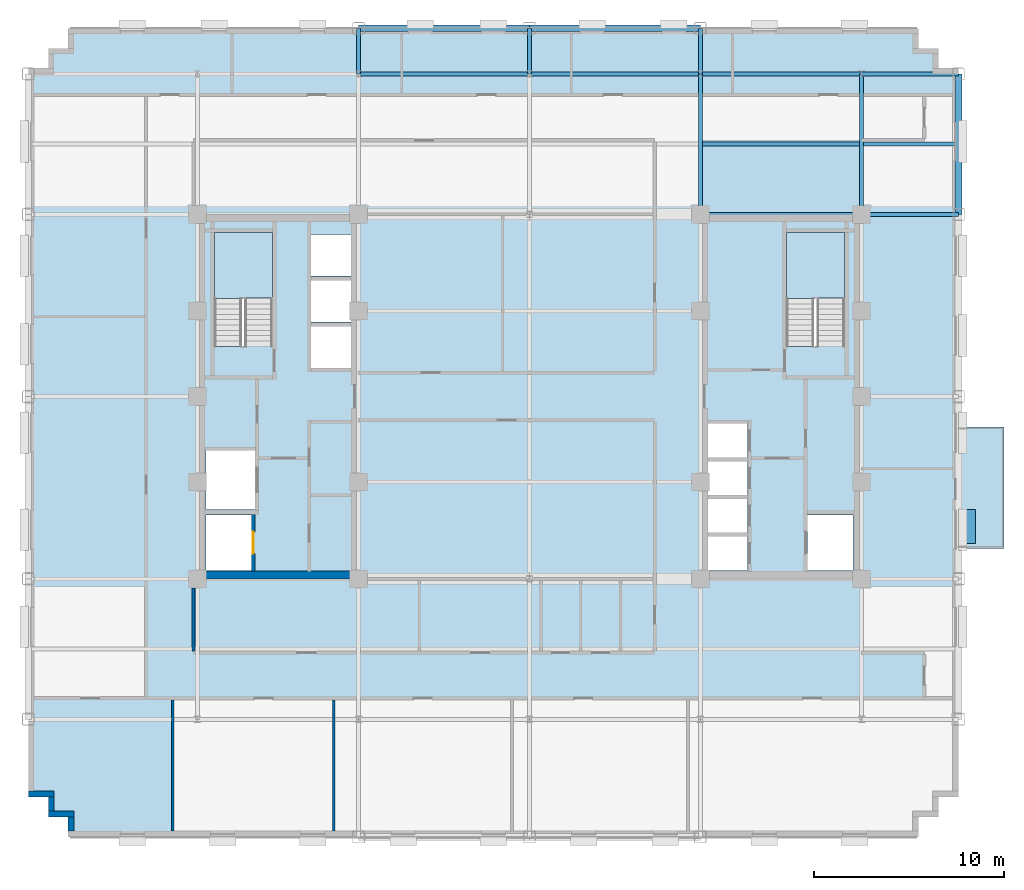
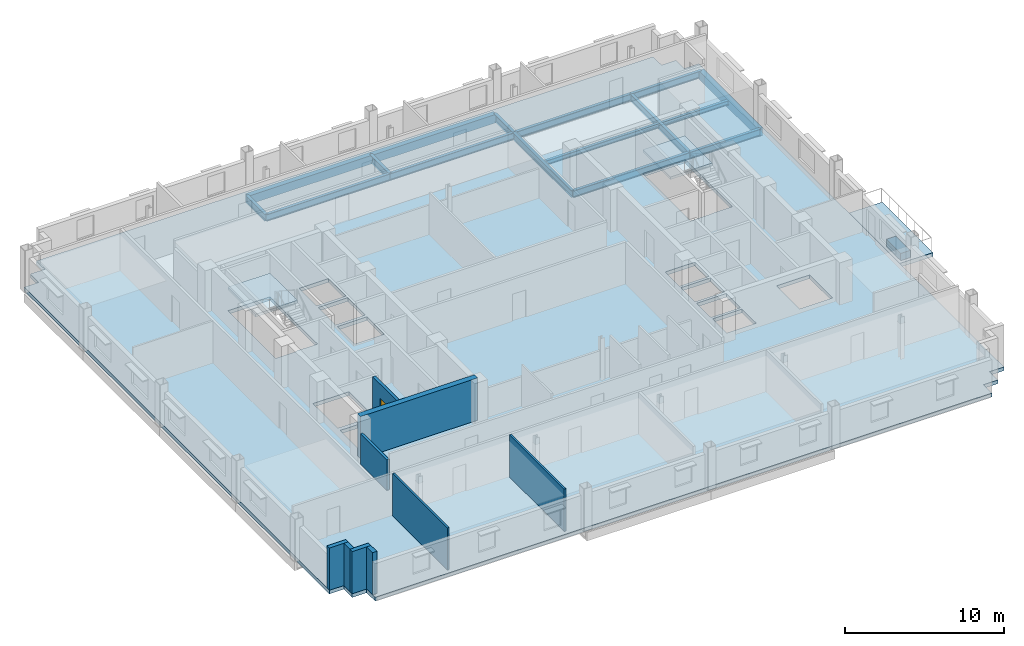
# One storey, part 6 of 14: 16 beams, 9 walls, 4 slabs, 1 door, 1 plate, 1 opening, 2 elements without a shape of their own.
"""IFC4 building model written with IfcOpenShell, lengths in metres."""

from ifc_helpers import new_model, si_unit, direction, frame, frame_2d, origin, origin_2d, place, context, subcontext, project, spatial, polyline, rectangle, i_section, outline, extrude, source, transform, mapped, material, layer, layer_set, material_profile, profile_set, type_object, type_shapes, element, fill, aggregate, save


model = new_model("IFC4")

# Units and contexts
model_context = context("Model", 3, precision=1e-05, world=origin(), true_north=direction((0.0, 1.0)))
body_context = subcontext(model_context, "Body", "Model", "MODEL_VIEW")
ifc_project = project(units=[si_unit("LENGTHUNIT", "METRE"), si_unit("AREAUNIT", "SQUARE_METRE"), si_unit("VOLUMEUNIT", "CUBIC_METRE"), si_unit("PLANEANGLEUNIT", "RADIAN"), si_unit("MASSUNIT", "GRAM", prefix="KILO")], contexts=[model_context])

# Site, building, storey
site_placement = place(None, origin())
site = spatial("IfcSite", under=ifc_project, at=site_placement, CompositionType="ELEMENT")
building_placement = place(site_placement, origin())
building = spatial("IfcBuilding", under=site, at=building_placement, Name="Nuvemarco Arch Tower", CompositionType="ELEMENT")
storey_placement = place(building_placement, frame((0.0, 0.0, 182.25)))
storey = spatial("IfcBuildingStorey", under=building, at=storey_placement, Name="L48", CompositionType="ELEMENT", Elevation=182.25)

# Beams
ifc_material_1 = material(Name="Steel S355", Category="steel")
ifc_material_profile_1 = material_profile(ifc_material_1, i_section(OverallWidth=0.2109375, OverallDepth=0.5390625, WebThickness=0.01171875, FlangeThickness=0.018798828125, FilletRadius=0.01611328125, at=origin_2d()), Name="W530x109")
ifc_profile_set_1 = profile_set([ifc_material_profile_1], Name="Steel S355")
beam_type_1 = type_object("IfcBeamType", Name="BM-GIRD-530", PredefinedType="BEAM", material=ifc_profile_set_1)
for number, where, z_axis, x_axis, name in (
    (1, (-9.0, 17.0, -0.549560546875), (0.0, 1.0, 0.0), (-1.0, 0.0, 0.0), "L48 structural beam BGNS_L48_0_-9.0_+17.0"),
    (2, (0.0, 17.0, -0.549560546875), (0.0, 1.0, 0.0), (-1.0, 0.0, 0.0), "L48 structural beam BGNS_L48_0_+0.0_+17.0"),
):
    element("IfcBeam", number, at=place(storey_placement, frame(where, z_axis=z_axis, x_axis=x_axis)), inside=storey, type_object=beam_type_1, Name=name, PredefinedType="BEAM", context=body_context, shape_type="SweptSolid", body=[
        extrude(i_section(OverallWidth=0.2109375, OverallDepth=0.5390625, WebThickness=0.01171875, FlangeThickness=0.018798828125, FilletRadius=0.01611328125, at=origin_2d()), origin(), (0.0, 0.0, 1.0), 2.39990234375),
    ])
beam_1_placement = place(storey_placement, frame((9.0, 9.60009765625, -0.549560546875), z_axis=(0.0, 1.0, 0.0), x_axis=(-1.0, 0.0, 0.0)))
element("IfcBeam", 3, at=beam_1_placement, inside=storey, type_object=beam_type_1, Name="L48 structural beam BGNS_L48_0_+9.0_+9.6", PredefinedType="BEAM", context=body_context, shape_type="SweptSolid", body=[
    extrude(i_section(OverallWidth=0.2109375, OverallDepth=0.5390625, WebThickness=0.01171875, FlangeThickness=0.018798828125, FilletRadius=0.01611328125, at=origin_2d()), origin(), (0.0, 0.0, 1.0), 7.39990234375),
])
beam_2_placement = place(storey_placement, frame((9.0, 17.0, -0.549560546875), z_axis=(0.0, 1.0, 0.0), x_axis=(-1.0, 0.0, 0.0)))
element("IfcBeam", 4, at=beam_2_placement, inside=storey, type_object=beam_type_1, Name="L48 structural beam BGNS_L48_0_+9.0_+17.0", PredefinedType="BEAM", context=body_context, shape_type="SweptSolid", body=[
    extrude(i_section(OverallWidth=0.2109375, OverallDepth=0.5390625, WebThickness=0.01171875, FlangeThickness=0.018798828125, FilletRadius=0.01611328125, at=origin_2d()), origin(), (0.0, 0.0, 1.0), 2.39990234375),
])
beam_3_placement = place(storey_placement, frame((17.5, 9.60009765625, -0.549560546875), z_axis=(0.0, 1.0, 0.0), x_axis=(-1.0, 0.0, 0.0)))
element("IfcBeam", 5, at=beam_3_placement, inside=storey, type_object=beam_type_1, Name="L48 structural beam BGNS_L48_0_+17.5_+9.6", PredefinedType="BEAM", context=body_context, shape_type="SweptSolid", body=[
    extrude(i_section(OverallWidth=0.2109375, OverallDepth=0.5390625, WebThickness=0.01171875, FlangeThickness=0.018798828125, FilletRadius=0.01611328125, at=origin_2d()), origin(), (0.0, 0.0, 1.0), 7.39990234375),
])
beam_4_placement = place(storey_placement, frame((9.0, 9.60009765625, -0.549560546875), z_axis=(1.0, 0.0, 0.0), x_axis=(0.0, 1.0, 0.0)))
element("IfcBeam", 6, at=beam_4_placement, inside=storey, type_object=beam_type_1, Name="L48 structural beam BGEW_L48_0_+9.6_+9.0", PredefinedType="BEAM", context=body_context, shape_type="SweptSolid", body=[
    extrude(i_section(OverallWidth=0.2109375, OverallDepth=0.5390625, WebThickness=0.01171875, FlangeThickness=0.018798828125, FilletRadius=0.01611328125, at=origin_2d()), origin(), (0.0, 0.0, 1.0), 8.5),
])
beam_5_placement = place(storey_placement, frame((17.5, 9.60009765625, -0.549560546875), z_axis=(1.0, 0.0, 0.0), x_axis=(0.0, 1.0, 0.0)))
element("IfcBeam", 7, at=beam_5_placement, inside=storey, type_object=beam_type_1, Name="L48 structural beam BGEW_L48_0_+9.6_+17.5", PredefinedType="BEAM", context=body_context, shape_type="SweptSolid", body=[
    extrude(i_section(OverallWidth=0.2109375, OverallDepth=0.5390625, WebThickness=0.01171875, FlangeThickness=0.018798828125, FilletRadius=0.01611328125, at=origin_2d()), origin(), (0.0, 0.0, 1.0), 5.10009765625),
])
for number, where, z_axis, x_axis, name in (
    (8, (-9.0, 17.0, -0.549560546875), (1.0, 0.0, 0.0), (0.0, 1.0, 0.0), "L48 structural beam BGEW_L48_0_+17.0_-9.0"),
    (9, (0.0, 17.0, -0.549560546875), (1.0, 0.0, 0.0), (0.0, 1.0, 0.0), "L48 structural beam BGEW_L48_0_+17.0_+0.0"),
):
    element("IfcBeam", number, at=place(storey_placement, frame(where, z_axis=z_axis, x_axis=x_axis)), inside=storey, type_object=beam_type_1, Name=name, PredefinedType="BEAM", context=body_context, shape_type="SweptSolid", body=[
        extrude(i_section(OverallWidth=0.2109375, OverallDepth=0.5390625, WebThickness=0.01171875, FlangeThickness=0.018798828125, FilletRadius=0.01611328125, at=origin_2d()), origin(), (0.0, 0.0, 1.0), 9.0),
    ])
beam_6_placement = place(storey_placement, frame((9.0, 17.0, -0.549560546875), z_axis=(1.0, 0.0, 0.0), x_axis=(0.0, 1.0, 0.0)))
element("IfcBeam", 10, at=beam_6_placement, inside=storey, type_object=beam_type_1, Name="L48 structural beam BGEW_L48_0_+17.0_+9.0", PredefinedType="BEAM", context=body_context, shape_type="SweptSolid", body=[
    extrude(i_section(OverallWidth=0.2109375, OverallDepth=0.5390625, WebThickness=0.01171875, FlangeThickness=0.018798828125, FilletRadius=0.01611328125, at=origin_2d()), origin(), (0.0, 0.0, 1.0), 8.5),
])
beam_7_placement = place(storey_placement, frame((17.5, 17.0, -0.549560546875), z_axis=(1.0, 0.0, 0.0), x_axis=(0.0, 1.0, 0.0)))
element("IfcBeam", 11, at=beam_7_placement, inside=storey, type_object=beam_type_1, Name="L48 structural beam BGEW_L48_0_+17.0_+17.5", PredefinedType="BEAM", context=body_context, shape_type="SweptSolid", body=[
    extrude(i_section(OverallWidth=0.2109375, OverallDepth=0.5390625, WebThickness=0.01171875, FlangeThickness=0.018798828125, FilletRadius=0.01611328125, at=origin_2d()), origin(), (0.0, 0.0, 1.0), 5.10009765625),
])
ifc_material_profile_2 = material_profile(ifc_material_1, i_section(OverallWidth=0.202880859375, OverallDepth=0.346923828125, WebThickness=0.0078125, FlangeThickness=0.013427734375, FilletRadius=0.014892578125, at=origin_2d()), Name="W360x64")
ifc_profile_set_2 = profile_set([ifc_material_profile_2], Name="Steel S355")
beam_type_2 = type_object("IfcBeamType", Name="BM-JOIST-360", PredefinedType="JOIST", material=ifc_profile_set_2)
beam_8_placement = place(storey_placement, frame((9.10546875, 13.300048828125, -0.45361328125), z_axis=(1.0, 0.0, 0.0), x_axis=(0.0, 1.0, 0.0)))
element("IfcBeam", 12, at=beam_8_placement, inside=storey, type_object=beam_type_2, Name="L48 structural beam BJ_L48_0_+13.3_+9.0", PredefinedType="JOIST", context=body_context, shape_type="SweptSolid", body=[
    extrude(i_section(OverallWidth=0.202880859375, OverallDepth=0.346923828125, WebThickness=0.0078125, FlangeThickness=0.013427734375, FilletRadius=0.014892578125, at=origin_2d()), origin(), (0.0, 0.0, 1.0), 8.2890625),
])
beam_9_placement = place(storey_placement, frame((17.60546875, 13.300048828125, -0.45361328125), z_axis=(1.0, 0.0, 0.0), x_axis=(0.0, 1.0, 0.0)))
element("IfcBeam", 13, at=beam_9_placement, inside=storey, type_object=beam_type_2, Name="L48 structural beam BJ_L48_0_+13.3_+17.5", PredefinedType="JOIST", context=body_context, shape_type="SweptSolid", body=[
    extrude(i_section(OverallWidth=0.202880859375, OverallDepth=0.346923828125, WebThickness=0.0078125, FlangeThickness=0.013427734375, FilletRadius=0.014892578125, at=origin_2d()), origin(), (0.0, 0.0, 1.0), 4.819580078125),
])
ifc_material_2 = material(Name="Precast concrete C45/55", Category="concrete")
ifc_material_profile_3 = material_profile(ifc_material_2, rectangle(XDim=0.35009765625, YDim=0.64990234375, at=origin_2d()), Name="PC-SP-350x650")
ifc_profile_set_3 = profile_set([ifc_material_profile_3], Name="Precast concrete C45/55")
beam_type_3 = type_object("IfcBeamType", Name="BM-SPAN-RC", PredefinedType="SPANDREL", material=ifc_profile_set_3)
beam_10_placement = place(storey_placement, frame((22.60009765625, 9.60009765625, -0.60498046875), z_axis=(0.0, 1.0, 0.0), x_axis=(-1.0, 0.0, 0.0)))
element("IfcBeam", 14, at=beam_10_placement, inside=storey, type_object=beam_type_3, Name="L48 structural beam BGNS_L48_0_+22.6_+9.6", PredefinedType="SPANDREL", context=body_context, shape_type="SweptSolid", body=[
    extrude(rectangle(XDim=0.35009765625, YDim=0.64990234375, at=origin_2d()), origin(), (0.0, 0.0, 1.0), 7.39990234375),
])
for number, where, z_axis, x_axis, name in (
    (15, (-9.0, 19.39990234375, -0.60498046875), (1.0, 0.0, 0.0), (0.0, 1.0, 0.0), "L48 structural beam BGEW_L48_0_+19.4_-9.0"),
    (16, (0.0, 19.39990234375, -0.60498046875), (1.0, 0.0, 0.0), (0.0, 1.0, 0.0), "L48 structural beam BGEW_L48_0_+19.4_+0.0"),
):
    element("IfcBeam", number, at=place(storey_placement, frame(where, z_axis=z_axis, x_axis=x_axis)), inside=storey, type_object=beam_type_3, Name=name, PredefinedType="SPANDREL", context=body_context, shape_type="SweptSolid", body=[
        extrude(rectangle(XDim=0.35009765625, YDim=0.64990234375, at=origin_2d()), origin(), (0.0, 0.0, 1.0), 9.0),
    ])

# Slab
ifc_material_3 = material(Name="Concrete C50/60", Category="concrete")
ifc_layer_1 = layer(ifc_material_3, 0.280029296875, Name="SL-FLR-280")
ifc_layer_set_1 = layer_set([ifc_layer_1], Name="Concrete C50/60")
slab_type_1 = type_object("IfcSlabType", Name="SL-FLR-280", PredefinedType="FLOOR", material=ifc_layer_set_1)
slab_1_placement = place(storey_placement, frame((0.0, 0.0, -0.280029296875)))
element("IfcSlab", 17, at=slab_1_placement, inside=storey, type_object=slab_type_1, Name="L48 structural floor slab", PredefinedType="FLOOR", context=body_context, shape_type="SweptSolid", body=[
    extrude(outline(polyline([(-24.300048828125, -23.199951171875), (20.5, -23.199951171875), (20.5, -22.14990234375), (21.550048828125, -22.14990234375), (21.550048828125, -21.10009765625), (22.60009765625, -21.10009765625), (22.60009765625, 17.300048828125), (21.550048828125, 17.300048828125), (21.550048828125, 18.35009765625), (20.5, 18.35009765625), (20.5, 19.39990234375), (-24.300048828125, 19.39990234375), (-24.300048828125, 18.35009765625), (-25.35009765625, 18.35009765625), (-25.35009765625, 17.300048828125), (-26.39990234375, 17.300048828125), (-26.39990234375, -21.10009765625), (-25.35009765625, -21.10009765625), (-25.35009765625, -22.14990234375), (-24.300048828125, -22.14990234375), (-24.300048828125, -23.199951171875)]), holes=[polyline([(-13.5400390625, 2.669921875), (-13.5400390625, 8.64990234375), (-16.60009765625, 8.64990234375), (-16.60009765625, 2.630615234375), (-15.070068359375, 2.630615234375), (-15.070068359375, 2.669921875), (-13.5400390625, 2.669921875)]), polyline([(16.60009765625, 2.669921875), (16.60009765625, 8.64990234375), (13.5400390625, 8.64990234375), (13.5400390625, 2.630615234375), (15.070068359375, 2.630615234375), (15.070068359375, 2.669921875), (16.60009765625, 2.669921875)]), polyline([(-17.050048828125, -9.14990234375), (-14.64990234375, -9.14990234375), (-14.64990234375, -6.25), (-17.050048828125, -6.25), (-17.050048828125, -9.14990234375)]), polyline([(-17.050048828125, -5.949951171875), (-14.449951171875, -5.949951171875), (-14.449951171875, -2.85009765625), (-17.050048828125, -2.85009765625), (-17.050048828125, -5.949951171875)]), polyline([(-11.5, 1.5), (-9.35009765625, 1.5), (-9.35009765625, 3.699951171875), (-11.5, 3.699951171875), (-11.5, 1.5)]), polyline([(-11.5, 3.919921875), (-9.35009765625, 3.919921875), (-9.35009765625, 6.1201171875), (-11.5, 6.1201171875), (-11.5, 3.919921875)]), polyline([(-11.5, 6.340087890625), (-9.35009765625, 6.340087890625), (-9.35009765625, 8.5400390625), (-11.5, 8.5400390625), (-11.5, 6.340087890625)]), polyline([(14.64990234375, -9.14990234375), (17.050048828125, -9.14990234375), (17.050048828125, -6.25), (14.64990234375, -6.25), (14.64990234375, -9.14990234375)]), polyline([(9.35009765625, -9.14990234375), (11.5, -9.14990234375), (11.5, -7.3701171875), (9.35009765625, -7.3701171875), (9.35009765625, -9.14990234375)]), polyline([(9.35009765625, -7.169921875), (11.5, -7.169921875), (11.5, -5.389892578125), (9.35009765625, -5.389892578125), (9.35009765625, -7.169921875)]), polyline([(9.35009765625, -5.18994140625), (11.5, -5.18994140625), (11.5, -3.409912109375), (9.35009765625, -3.409912109375), (9.35009765625, -5.18994140625)]), polyline([(9.35009765625, -3.2099609375), (11.5, -3.2099609375), (11.5, -1.429931640625), (9.35009765625, -1.429931640625), (9.35009765625, -3.2099609375)])]), origin(), (0.0, 0.0, 1.0), 0.280029296875),
])

# Stair, slab
stair_type = type_object("IfcStairType", Name="ST-CORE-20R", PredefinedType="HALF_TURN_STAIR", material=ifc_material_2)
stair_1_placement = place(storey_placement, origin())
stair_1 = element("IfcStair", 18, at=stair_1_placement, inside=storey, type_object=stair_type, Name="L48 Protected Exit Stair ST-1", PredefinedType="HALF_TURN_STAIR")
ifc_layer_2 = layer(ifc_material_2, 0.199951171875, Name="SL-LANDING-200")
ifc_layer_set_2 = layer_set([ifc_layer_2], Name="Precast concrete C45/55")
slab_type_2 = type_object("IfcSlabType", Name="SL-LANDING-200", PredefinedType="LANDING", material=ifc_layer_set_2)
slab_2_placement = place(storey_placement, frame((0.0, 0.0, 1.625)))
slab_2 = element("IfcSlab", 19, at=slab_2_placement, type_object=slab_type_2, Name="ST-20R landing 1", PredefinedType="LANDING", context=body_context, shape_type="SweptSolid", body=[
    extrude(outline(polyline([(-13.5400390625, 5.189453125), (-13.5400390625, 8.64990234375), (-16.60009765625, 8.64990234375), (-16.60009765625, 5.169921875), (-15.070068359375, 5.169921875), (-15.070068359375, 5.189453125), (-13.5400390625, 5.189453125)])), origin(), (0.0, 0.0, 1.0), 0.199951171875),
])
aggregate(stair_1, [slab_2])

stair_2_placement = place(storey_placement, origin())
stair_2 = element("IfcStair", 20, at=stair_2_placement, inside=storey, type_object=stair_type, Name="L48 Protected Exit Stair ST-2", PredefinedType="HALF_TURN_STAIR")
slab_3_placement = place(storey_placement, frame((0.0, 0.0, 1.625)))
slab_3 = element("IfcSlab", 21, at=slab_3_placement, type_object=slab_type_2, Name="ST-20R landing 1", PredefinedType="LANDING", context=body_context, shape_type="SweptSolid", body=[
    extrude(outline(polyline([(16.60009765625, 5.189453125), (16.60009765625, 8.64990234375), (13.5400390625, 8.64990234375), (13.5400390625, 5.169921875), (15.070068359375, 5.169921875), (15.070068359375, 5.189453125), (16.60009765625, 5.189453125)])), origin(), (0.0, 0.0, 1.0), 0.199951171875),
])
aggregate(stair_2, [slab_3])

# Slab
ifc_layer_3 = layer(ifc_material_3, 0.294921875, Name="SL-TR4")
ifc_layer_set_3 = layer_set([ifc_layer_3], Name="Concrete C50/60")
slab_type_3 = type_object("IfcSlabType", Name="SL-TR4", PredefinedType="FLOOR", material=ifc_layer_set_3)
slab_4_placement = place(storey_placement, frame((0.0, 0.0, -0.294921875)))
element("IfcSlab", 22, at=slab_4_placement, inside=storey, type_object=slab_type_3, Name="L48 outdoor spiral terrace slab 1", PredefinedType="FLOOR", context=body_context, shape_type="SweptSolid", body=[
    extrude(outline(polyline([(22.60009765625, -8.0), (25.0, -8.0), (25.0, -1.60009765625), (22.60009765625, -1.60009765625), (22.60009765625, -8.0)])), origin(), (0.0, 0.0, 1.0), 0.294921875),
])

# Plate
ifc_layer_4 = layer(ifc_material_2, 0.550048828125, Name="Tree Balcony Structural Planter")
ifc_layer_set_4 = layer_set([ifc_layer_4], Name="Precast concrete C45/55")
plate_type = type_object("IfcPlateType", Name="Tree Balcony Structural Planter", PredefinedType="USERDEFINED", material=ifc_layer_set_4)
shared_shape_1 = source(origin(), body_context, "Body", "SweptSolid", [
    extrude(rectangle(XDim=1.800048828125, YDim=0.699951171875, at=origin_2d()), origin(), (0.0, 0.0, 1.0), 0.550048828125),
])
type_shapes(plate_type, [shared_shape_1])
plate_placement = place(storey_placement, frame((23.14990234375, -6.85009765625, 0.0), z_axis=(0.0, 0.0, 1.0), x_axis=(0.0, 1.0, 0.0)))
element("IfcPlate", 23, at=plate_placement, inside=storey, type_object=plate_type, Name="L48 Tree Balcony Structural Planter", ObjectType="PLANTER", PredefinedType="USERDEFINED", context=body_context, shape_type="MappedRepresentation", body=[
    mapped(shared_shape_1, transform((0.0, 0.0, 0.0), scale=1.0)),
])

# Walls
ifc_layer_5 = layer(ifc_material_2, 0.31005859375, Name="EW-UPP-310")
ifc_layer_set_5 = layer_set([ifc_layer_5], Name="Precast concrete C45/55")
wall_type_1 = type_object("IfcWallType", Name="EW-UPP-310", PredefinedType="STANDARD", material=ifc_layer_set_5)
wall_1_placement = place(storey_placement, frame((-26.39990234375, -20.945068359375, 0.0), z_axis=(0.0, 0.0, 1.0), x_axis=(1.0, 0.0, 0.0)))
element("IfcWall", 24, at=wall_1_placement, inside=storey, type_object=wall_type_1, Name="L48 exterior precast facade wall 17", PredefinedType="STANDARD", context=body_context, shape_type="SweptSolid", body=[
    extrude(rectangle(XDim=1.35986328125, YDim=0.31005859375, at=frame_2d((0.679931640625, 0.0))), origin(), (0.0, 0.0, 1.0), 3.239990234375),
])
wall_2_placement = place(storey_placement, frame((-25.195068359375, -21.843994140625, 0.0), z_axis=(0.0, 0.0, 1.0), x_axis=(0.0, 1.0, 0.0)))
element("IfcWall", 25, at=wall_2_placement, inside=storey, type_object=wall_type_1, Name="L48 exterior precast facade wall 18", PredefinedType="STANDARD", context=body_context, shape_type="SweptSolid", body=[
    extrude(rectangle(XDim=0.748046875, YDim=0.31005859375, at=frame_2d((0.3740234375, 0.0))), origin(), (0.0, 0.0, 1.0), 3.239990234375),
])
wall_3_placement = place(storey_placement, frame((-25.35009765625, -21.9951171875, 0.0), z_axis=(0.0, 0.0, 1.0), x_axis=(1.0, 0.0, 0.0)))
element("IfcWall", 26, at=wall_3_placement, inside=storey, type_object=wall_type_1, Name="L48 exterior precast facade wall 19", PredefinedType="STANDARD", context=body_context, shape_type="SweptSolid", body=[
    extrude(rectangle(XDim=1.360107421875, YDim=0.31005859375, at=frame_2d((0.68017578125, 0.0))), origin(), (0.0, 0.0, 1.0), 3.239990234375),
])
wall_4_placement = place(storey_placement, frame((-24.14501953125, -22.89404296875, 0.0), z_axis=(0.0, 0.0, 1.0), x_axis=(0.0, 1.0, 0.0)))
element("IfcWall", 27, at=wall_4_placement, inside=storey, type_object=wall_type_1, Name="L48 exterior precast facade wall 20", PredefinedType="STANDARD", context=body_context, shape_type="SweptSolid", body=[
    extrude(rectangle(XDim=0.748046875, YDim=0.31005859375, at=frame_2d((0.3740234375, 0.0))), origin(), (0.0, 0.0, 1.0), 3.239990234375),
])
ifc_material_4 = material(Name="Concrete C60/75", Category="concrete")
ifc_layer_6 = layer(ifc_material_4, 0.39990234375, Name="WL-CORE-400")
ifc_layer_set_6 = layer_set([ifc_layer_6], Name="Concrete C60/75")
wall_type_2 = type_object("IfcWallType", Name="WL-CORE-400", PredefinedType="SHEAR", material=ifc_layer_set_6)
wall_5_placement = place(storey_placement, frame((-17.5, -9.39990234375, 0.0), z_axis=(0.0, 0.0, 1.0), x_axis=(1.0, 0.0, 0.0)))
element("IfcWall", 28, at=wall_5_placement, inside=storey, type_object=wall_type_2, Name="L48 W-core shear wall S", PredefinedType="SHEAR", context=body_context, shape_type="SweptSolid", body=[
    extrude(rectangle(XDim=8.5, YDim=0.39990234375, at=frame_2d((4.25, 0.0))), origin(), (0.0, 0.0, 1.0), 3.25),
])
ifc_material_5 = material(Name="Fire-rated gypsum drywall partition")
ifc_layer_7 = layer(ifc_material_5, 0.179931640625, Name="WL-CORR-180")
ifc_layer_set_7 = layer_set([ifc_layer_7], Name="Fire-rated gypsum drywall partition")
wall_type_3 = type_object("IfcWallType", Name="WL-CORR-180", PredefinedType="PARTITIONING", material=ifc_layer_set_7)
wall_6_placement = place(storey_placement, frame((-17.699951171875, -13.4140625, 0.0), z_axis=(0.0, 0.0, 1.0), x_axis=(0.0, 1.0, 0.0)))
element("IfcWall", 29, at=wall_6_placement, inside=storey, type_object=wall_type_3, Name="L48 interior wall IW-L48-017", PredefinedType="PARTITIONING", context=body_context, shape_type="SweptSolid", body=[
    extrude(rectangle(XDim=3.343017578125, YDim=0.179931640625, at=frame_2d((1.67138671875, 0.0))), origin(), (0.0, 0.0, 1.0), 2.3349609375),
])
ifc_material_6 = material(Name="Gypsum plasterboard partition")
ifc_layer_8 = layer(ifc_material_6, 0.139892578125, Name="WL-ROOM-140")
ifc_layer_set_8 = layer_set([ifc_layer_8], Name="Gypsum plasterboard partition")
wall_type_4 = type_object("IfcWallType", Name="WL-ROOM-140", PredefinedType="PARTITIONING", material=ifc_layer_set_8)
for number, where, z_axis, x_axis, name in (
    (30, (-18.800048828125, -22.889892578125, 0.0), (0.0, 0.0, 1.0), (0.0, 1.0, 0.0), "L48 interior wall IW-L48-016"),
    (31, (-10.31005859375, -22.889892578125, 0.0), (0.0, 0.0, 1.0), (0.0, 1.0, 0.0), "L48 interior wall IW-L48-020"),
):
    element("IfcWall", number, at=place(storey_placement, frame(where, z_axis=z_axis, x_axis=x_axis)), inside=storey, type_object=wall_type_4, Name=name, PredefinedType="PARTITIONING", context=body_context, shape_type="SweptSolid", body=[
        extrude(rectangle(XDim=6.90380859375, YDim=0.139892578125, at=frame_2d((3.451904296875, 0.0))), origin(), (0.0, 0.0, 1.0), 3.239990234375),
    ])

# Wall, opening, door
ifc_layer_9 = layer(ifc_material_3, 0.199951171875, Name="WL-SHAFT-220")
ifc_layer_set_9 = layer_set([ifc_layer_9], Name="Concrete C50/60")
wall_type_5 = type_object("IfcWallType", Name="WL-SHAFT-220", PredefinedType="SHEAR", material=ifc_layer_set_9)
wall_7_placement = place(storey_placement, frame((-14.550048828125, -9.205078125, 0.0), z_axis=(0.0, 0.0, 1.0), x_axis=(0.0, 1.0, 0.0)))
wall_7 = element("IfcWall", 32, at=wall_7_placement, inside=storey, type_object=wall_type_5, Name="L48 structural shaft wall SW-L48-W-SHE", PredefinedType="SHEAR", context=body_context, shape_type="SweptSolid", body=[
    extrude(rectangle(XDim=3.010009765625, YDim=0.199951171875, at=frame_2d((1.5048828125, 0.0))), origin(), (0.0, 0.0, 1.0), 3.25),
])
opening_placement = place(wall_7_placement, frame((0.929931640625, 0.0, 0.0)))
opening = element("IfcOpeningElement", 33, at=opening_placement, cuts=wall_7, Name="Opening LD-2", PredefinedType="OPENING", context=body_context, shape_type="SweptSolid", body=[
    extrude(rectangle(XDim=1.14990234375, YDim=2.14990234375, at=frame_2d((0.574951171875, 1.074951171875))), frame((0.0, 0.10986328125, 0.0), z_axis=(0.0, -1.0, 0.0), x_axis=(1.0, 0.0, 0.0)), (0.0, 0.0, 1.0), 0.219970703125),
])
ifc_material_7 = material(Name="Stainless steel lift door", Category="steel")
door_type = type_object("IfcDoorType", Name="DR-LIFT-FIRE", OperationType="DOUBLE_DOOR_SLIDING", PredefinedType="DOOR", material=ifc_material_7)
shared_shape_2 = source(origin(), body_context, "Body", "SweptSolid", [
    extrude(rectangle(XDim=1.14990234375, YDim=2.14990234375, at=frame_2d((0.574951171875, 1.074951171875))), frame((0.0, 0.02490234375, 0.0), z_axis=(0.0, -1.0, 0.0), x_axis=(1.0, 0.0, 0.0)), (0.0, 0.0, 1.0), 0.050048828125),
])
type_shapes(door_type, [shared_shape_2])
door_placement = place(opening_placement, origin())
door = element("IfcDoor", 34, at=door_placement, inside=storey, type_object=door_type, Name="L48 Lift landing sliding door FFL-1", OperationType="DOUBLE_DOOR_SLIDING", OverallHeight=2.14990234375, OverallWidth=1.14990234375, PredefinedType="DOOR", context=body_context, shape_type="MappedRepresentation", body=[
    mapped(shared_shape_2, transform((0.0, 0.0, 0.0), scale=1.0)),
])
fill(opening, door)

save(model, "model.ifc")
